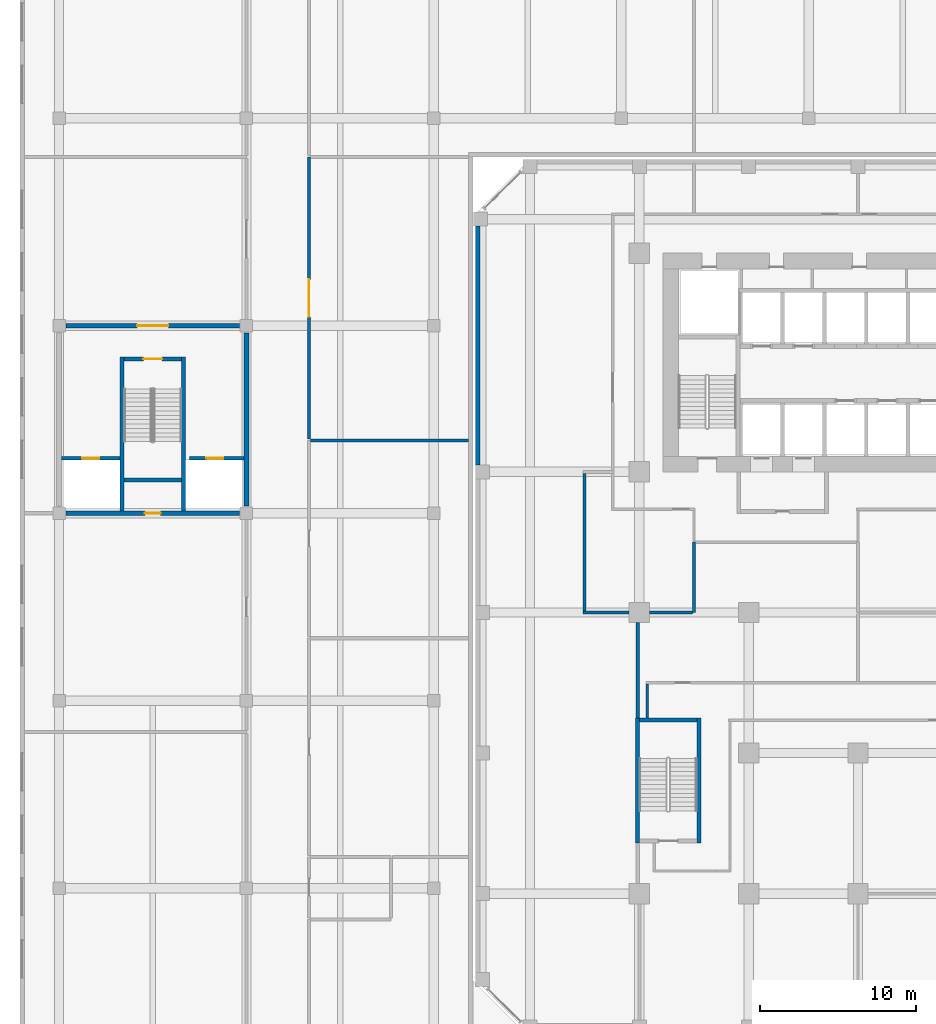
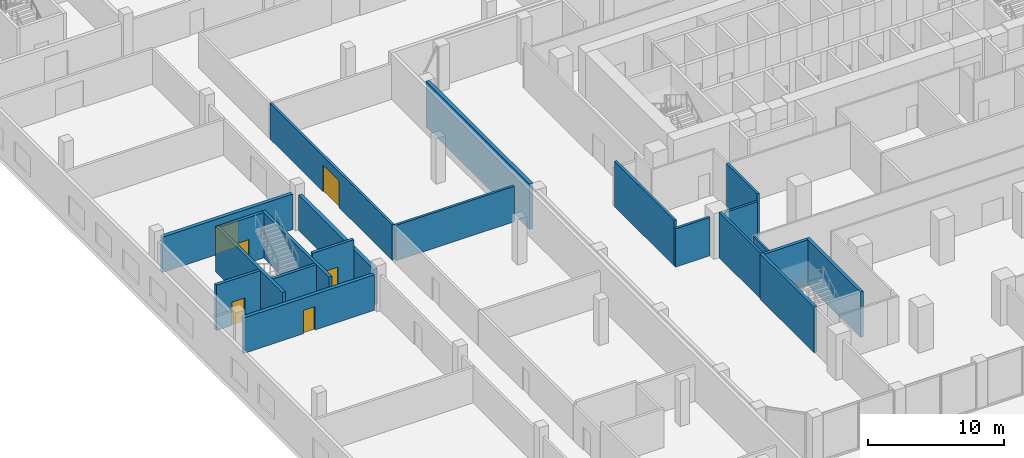
# One storey, part 20 of 38: 21 walls, 6 doors, 6 openings.
"""IFC4 building model written with IfcOpenShell, lengths in metres."""

from ifc_helpers import new_model, si_unit, direction, frame, frame_2d, origin, place, context, subcontext, project, spatial, rectangle, extrude, source, transform, mapped, material, layer, layer_set, type_object, element, fill, save


model = new_model("IFC4")

# Units and contexts
model_context = context("Model", 3, precision=1e-05, world=origin(), true_north=direction((0.0, 1.0)))
body_context = subcontext(model_context, "Body", "Model", "MODEL_VIEW")
ifc_project = project(units=[si_unit("LENGTHUNIT", "METRE"), si_unit("AREAUNIT", "SQUARE_METRE"), si_unit("VOLUMEUNIT", "CUBIC_METRE"), si_unit("PLANEANGLEUNIT", "RADIAN"), si_unit("MASSUNIT", "GRAM", prefix="KILO")], contexts=[model_context])

# Site, building, storey
site_placement = place(None, origin())
site = spatial("IfcSite", under=ifc_project, at=site_placement, CompositionType="ELEMENT")
building_placement = place(site_placement, origin())
building = spatial("IfcBuilding", under=site, at=building_placement, Name="Kilnfold Tower and Market Hall", CompositionType="ELEMENT")
storey_placement = place(building_placement, frame((0.0, 0.0, 9.0)))
storey = spatial("IfcBuildingStorey", under=building, at=storey_placement, Name="L01", CompositionType="ELEMENT", Elevation=9.0)

# Walls
ifc_material_1 = material(Name="Gypsum board on steel studs", Category="steel")
ifc_layer_1 = layer(ifc_material_1, 0.14990234375)
ifc_layer_set_1 = layer_set([ifc_layer_1], Name="Gypsum board on steel studs")
wall_type_1 = type_object("IfcWallType", Name="WALL CORRIDOR 150", PredefinedType="PARTITIONING", material=ifc_layer_set_1)
wall_1_placement = place(storey_placement, frame((-17.0, -5.574951171875, 0.0), z_axis=(0.0, 0.0, 1.0), x_axis=(0.0, -1.0, 0.0)))
element("IfcWall", 1, at=wall_1_placement, inside=storey, type_object=wall_type_1, Name="Partition LY02.23", PredefinedType="PARTITIONING", context=body_context, shape_type="SweptSolid", body=[
    extrude(rectangle(XDim=2.175048828125, YDim=0.14990234375, at=frame_2d((1.08740234375, 0.0))), origin(), (0.0, 0.0, 1.0), 4.10009765625),
])
ifc_material_2 = material(Name="Gypsum board on steel studs", Category="steel")
ifc_layer_2 = layer(ifc_material_2, 0.199951171875)
ifc_layer_set_2 = layer_set([ifc_layer_2], Name="Gypsum board on steel studs")
wall_type_2 = type_object("IfcWallType", Name="WALL PARTY 200", PredefinedType="PARTITIONING", material=ifc_layer_set_2)
wall_2_placement = place(storey_placement, frame((-21.0, -0.89892578125, 0.0), z_axis=(0.0, 0.0, 1.0), x_axis=(0.0, 1.0, 0.0)))
element("IfcWall", 2, at=wall_2_placement, inside=storey, type_object=wall_type_2, Name="Partition LY02.44", PredefinedType="PARTITIONING", context=body_context, shape_type="SweptSolid", body=[
    extrude(rectangle(XDim=8.7978515625, YDim=0.199951171875, at=frame_2d((4.39892578125, 0.0))), origin(), (0.0, 0.0, 1.0), 4.10009765625),
])
wall_3_placement = place(storey_placement, frame((-21.09912109375, -1.0, 0.0), z_axis=(0.0, 0.0, 1.0), x_axis=(1.0, 0.0, 0.0)))
element("IfcWall", 3, at=wall_3_placement, inside=storey, type_object=wall_type_2, Name="Partition LY02.45", PredefinedType="PARTITIONING", context=body_context, shape_type="SweptSolid", body=[
    extrude(rectangle(XDim=2.94921875, YDim=0.199951171875, at=frame_2d((1.474609375, 0.0))), origin(), (0.0, 0.0, 1.0), 3.449951171875),
])
wall_4_placement = place(storey_placement, frame((-17.60009765625, -7.75, 0.0), z_axis=(0.0, 0.0, 1.0), x_axis=(0.0, 1.0, 0.0)))
element("IfcWall", 4, at=wall_4_placement, inside=storey, type_object=wall_type_2, Name="Partition LY02.49", PredefinedType="PARTITIONING", context=body_context, shape_type="SweptSolid", body=[
    extrude(rectangle(XDim=6.10009765625, YDim=0.199951171875, at=frame_2d((3.050048828125, 0.0))), origin(), (0.0, 0.0, 1.0), 4.10009765625),
])
wall_5_placement = place(storey_placement, frame((-16.85009765625, -1.0, 0.0), z_axis=(0.0, 0.0, 1.0), x_axis=(1.0, 0.0, 0.0)))
element("IfcWall", 5, at=wall_5_placement, inside=storey, type_object=wall_type_2, Name="Partition LY02.50", PredefinedType="PARTITIONING", context=body_context, shape_type="SweptSolid", body=[
    extrude(rectangle(XDim=2.75, YDim=0.199951171875, at=frame_2d((1.375, 0.0))), origin(), (0.0, 0.0, 1.0), 3.449951171875),
])
wall_6_placement = place(storey_placement, frame((-14.0, -1.0, 0.0), z_axis=(0.0, 0.0, 1.0), x_axis=(-0.000216579128, 0.999999976547, 0.0)))
element("IfcWall", 6, at=wall_6_placement, inside=storey, type_object=wall_type_2, Name="Partition LY02.51", PredefinedType="PARTITIONING", context=body_context, shape_type="SweptSolid", body=[
    extrude(rectangle(XDim=4.509033203125, YDim=0.199951171875, at=frame_2d((2.25439453125, 0.0))), origin(), (0.0, 0.0, 1.0), 4.10009765625),
])
ifc_material_3 = material(Name="Concrete C80", Category="concrete")
ifc_layer_3 = layer(ifc_material_3, 0.25)
ifc_layer_set_3 = layer_set([ifc_layer_3], Name="Concrete C80")
wall_type_3 = type_object("IfcWallType", Name="CORE WALL 250 C80", PredefinedType="SHEAR", material=ifc_layer_set_3)
shared_shape_1 = source(origin(), body_context, "Body", "SweptSolid", [
    extrude(rectangle(XDim=3.699951171875, YDim=0.25, at=frame_2d((1.85009765625, 0.0))), origin(), (0.0, 0.0, 1.0), 4.10009765625),
])
wall_7_placement = place(storey_placement, frame((-17.5, -7.875, 0.0), z_axis=(0.0, 0.0, 1.0), x_axis=(1.0, 0.0, 0.0)))
element("IfcWall", 7, at=wall_7_placement, inside=storey, type_object=wall_type_3, Name="Stair enclosure ST3", PredefinedType="SHEAR", context=body_context, shape_type="MappedRepresentation", body=[
    mapped(shared_shape_1, transform((0.0, 0.0, 0.0))),
])
ifc_material_4 = material(Name="Concrete C50/60", Category="concrete")
ifc_layer_4 = layer(ifc_material_4, 0.25)
ifc_layer_set_4 = layer_set([ifc_layer_4], Name="Concrete C50/60")
wall_type_4 = type_object("IfcWallType", Name="HALL CORE WALL 250", PredefinedType="SHEAR", material=ifc_layer_set_4)
wall_8_placement = place(storey_placement, frame((-50.5, 7.47509765625, 0.0), z_axis=(0.0, 0.0, 1.0), x_axis=(1.0, 0.0, 0.0)))
element("IfcWall", 8, at=wall_8_placement, inside=storey, type_object=wall_type_4, Name="Core wall MH1", PredefinedType="SHEAR", context=body_context, shape_type="MappedRepresentation", body=[
    mapped(shared_shape_1, transform((0.0, 0.0, 0.0))),
])

# Wall, opening, door
wall_9_placement = place(storey_placement, frame((-50.5, 15.22509765625, 0.0), z_axis=(0.0, 0.0, 1.0), x_axis=(1.0, 0.0, 0.0)))
wall_9 = element("IfcWall", 9, at=wall_9_placement, inside=storey, type_object=wall_type_4, Name="Core wall MH1", PredefinedType="SHEAR", context=body_context, shape_type="MappedRepresentation", body=[
    mapped(shared_shape_1, transform((0.0, 0.0, 0.0))),
])
opening_1_placement = place(wall_9_placement, frame((1.25, 0.0, 0.0)))
opening_1 = element("IfcOpeningElement", 10, at=opening_1_placement, cuts=wall_9, Name="Opening MD9-60", PredefinedType="OPENING", context=body_context, shape_type="SweptSolid", body=[
    extrude(rectangle(XDim=1.199951171875, YDim=2.10009765625, at=frame_2d((0.60009765625, 1.050048828125))), frame((0.0, 0.135009765625, 0.0), z_axis=(0.0, -1.0, 0.0), x_axis=(1.0, 0.0, 0.0)), (0.0, 0.0, 1.0), 0.27001953125),
])
ifc_material_5 = material(Name="Steel S355", Category="steel")
door_type_1 = type_object("IfcDoorType", Name="HALL DOOR STAIR 1200X2100 FD60", OperationType="NOTDEFINED", PredefinedType="DOOR", material=ifc_material_5)
door_1_placement = place(opening_1_placement, origin())
door_1 = element("IfcDoor", 11, at=door_1_placement, inside=storey, type_object=door_type_1, Name="Door MD9-60", OperationType="DOUBLE_DOOR_SINGLE_SWING", OverallHeight=2.10009765625, OverallWidth=1.199951171875, PredefinedType="DOOR", context=body_context, shape_type="SweptSolid", body=[
    extrude(rectangle(XDim=1.199951171875, YDim=2.10009765625, at=frame_2d((0.60009765625, 1.050048828125))), frame((0.0, 0.02490234375, 0.0), z_axis=(0.0, -1.0, 0.0), x_axis=(1.0, 0.0, 0.0)), (0.0, 0.0, 1.0), 0.050048828125),
])
fill(opening_1, door_1)

# Walls
shared_shape_2 = source(origin(), body_context, "Body", "SweptSolid", [
    extrude(rectangle(XDim=8.0, YDim=0.25, at=frame_2d((4.0, 0.0))), origin(), (0.0, 0.0, 1.0), 4.10009765625),
])
for number, where, z_axis, x_axis, name in (
    (12, (-17.625, -15.75, 0.0), (0.0, 0.0, 1.0), (0.0, 1.0, 0.0), "Stair enclosure ST3"),
    (13, (-13.675048828125, -15.75, 0.0), (0.0, 0.0, 1.0), (0.0, 1.0, 0.0), "Stair enclosure ST3"),
):
    element("IfcWall", number, at=place(storey_placement, frame(where, z_axis=z_axis, x_axis=x_axis)), inside=storey, type_object=wall_type_3, Name=name, PredefinedType="SHEAR", context=body_context, shape_type="MappedRepresentation", body=[
        mapped(shared_shape_2, transform((0.0, 0.0, 0.0))),
    ])

# Wall, opening, door
ifc_material_6 = material(Name="Concrete C50/60", Category="concrete")
ifc_layer_5 = layer(ifc_material_6, 0.300048828125)
ifc_layer_set_5 = layer_set([ifc_layer_5], Name="Concrete C50/60")
wall_type_5 = type_object("IfcWallType", Name="HALL CORE WALL 300", PredefinedType="SHEAR", material=ifc_layer_set_5)
shared_shape_3 = source(origin(), body_context, "Body", "SweptSolid", [
    extrude(rectangle(XDim=11.099853515625, YDim=0.300048828125, at=frame_2d((5.5498046875, 0.0))), origin(), (0.0, 0.0, 1.0), 3.199951171875),
])
wall_10_placement = place(storey_placement, frame((-54.199951171875, 5.35009765625, 0.0), z_axis=(0.0, 0.0, 1.0), x_axis=(1.0, 0.0, 0.0)))
wall_10 = element("IfcWall", 14, at=wall_10_placement, inside=storey, type_object=wall_type_5, Name="Core wall MH1", PredefinedType="SHEAR", context=body_context, shape_type="MappedRepresentation", body=[
    mapped(shared_shape_3, transform((0.0, 0.0, 0.0))),
])
opening_2_placement = place(wall_10_placement, frame((5.050048828125, 0.0, 0.0)))
opening_2 = element("IfcOpeningElement", 15, at=opening_2_placement, cuts=wall_10, Name="Opening MD4-60", PredefinedType="OPENING", context=body_context, shape_type="SweptSolid", body=[
    extrude(rectangle(XDim=1.0, YDim=2.10009765625, at=frame_2d((0.5, 1.050048828125))), frame((0.0, 0.16015625, 0.0), z_axis=(0.0, -1.0, 0.0), x_axis=(1.0, 0.0, 0.0)), (0.0, 0.0, 1.0), 0.320068359375),
])
ifc_material_7 = material(Name="Steel S355", Category="steel")
door_type_2 = type_object("IfcDoorType", Name="HALL DOOR RISER 1000X2100 FD60", OperationType="NOTDEFINED", PredefinedType="DOOR", material=ifc_material_7)
door_2_placement = place(opening_2_placement, origin())
door_2 = element("IfcDoor", 16, at=door_2_placement, inside=storey, type_object=door_type_2, Name="Door MD4-60", OperationType="SINGLE_SWING_RIGHT", OverallHeight=2.10009765625, OverallWidth=1.0, PredefinedType="DOOR", context=body_context, shape_type="SweptSolid", body=[
    extrude(rectangle(XDim=1.0, YDim=2.10009765625, at=frame_2d((0.5, 1.050048828125))), frame((0.0, 0.02490234375, 0.0), z_axis=(0.0, -1.0, 0.0), x_axis=(1.0, 0.0, 0.0)), (0.0, 0.0, 1.0), 0.050048828125),
])
fill(opening_2, door_2)

wall_11_placement = place(storey_placement, frame((-54.199951171875, 17.35009765625, 0.0), z_axis=(0.0, 0.0, 1.0), x_axis=(1.0, 0.0, 0.0)))
wall_11 = element("IfcWall", 17, at=wall_11_placement, inside=storey, type_object=wall_type_5, Name="Core wall MH1", PredefinedType="SHEAR", context=body_context, shape_type="MappedRepresentation", body=[
    mapped(shared_shape_3, transform((0.0, 0.0, 0.0))),
])
opening_3_placement = place(wall_11_placement, frame((4.550048828125, 0.0, 0.0)))
opening_3 = element("IfcOpeningElement", 18, at=opening_3_placement, cuts=wall_11, Name="Opening MD10-60", PredefinedType="OPENING", context=body_context, shape_type="SweptSolid", body=[
    extrude(rectangle(XDim=2.0, YDim=2.39990234375, at=frame_2d((1.0, 1.199951171875))), frame((0.0, 0.16015625, 0.0), z_axis=(0.0, -1.0, 0.0), x_axis=(1.0, 0.0, 0.0)), (0.0, 0.0, 1.0), 0.320068359375),
])
ifc_material_8 = material(Name="Aluminium glazing", Category="aluminium")
door_type_3 = type_object("IfcDoorType", Name="HALL DOOR LOBBY 2000X2400 FD60", OperationType="NOTDEFINED", PredefinedType="DOOR", material=ifc_material_8)
door_3_placement = place(opening_3_placement, origin())
door_3 = element("IfcDoor", 19, at=door_3_placement, inside=storey, type_object=door_type_3, Name="Door MD10-60", OperationType="DOUBLE_DOOR_SINGLE_SWING", OverallHeight=2.39990234375, OverallWidth=2.0, PredefinedType="DOOR", context=body_context, shape_type="SweptSolid", body=[
    extrude(rectangle(XDim=2.0, YDim=2.39990234375, at=frame_2d((1.0, 1.199951171875))), frame((0.0, 0.02490234375, 0.0), z_axis=(0.0, -1.0, 0.0), x_axis=(1.0, 0.0, 0.0)), (0.0, 0.0, 1.0), 0.050048828125),
])
fill(opening_3, door_3)

# Walls
wall_12_placement = place(storey_placement, frame((-42.64990234375, 5.800048828125, 0.0), z_axis=(0.0, 0.0, 1.0), x_axis=(0.0, 1.0, 0.0)))
element("IfcWall", 20, at=wall_12_placement, inside=storey, type_object=wall_type_5, Name="Core wall MH1", PredefinedType="SHEAR", context=body_context, shape_type="MappedRepresentation", body=[
    mapped(shared_shape_3, transform((0.0, 0.0, 0.0))),
])
shared_shape_4 = source(origin(), body_context, "Body", "SweptSolid", [
    extrude(rectangle(XDim=9.85009765625, YDim=0.25, at=frame_2d((4.925048828125, 0.0))), origin(), (0.0, 0.0, 1.0), 4.10009765625),
])
for number, where, z_axis, x_axis, name in (
    (21, (-50.625, 5.5, 0.0), (0.0, 0.0, 1.0), (0.0, 1.0, 0.0), "Core wall MH1"),
    (22, (-46.675048828125, 5.5, 0.0), (0.0, 0.0, 1.0), (0.0, 1.0, 0.0), "Core wall MH1"),
):
    element("IfcWall", number, at=place(storey_placement, frame(where, z_axis=z_axis, x_axis=x_axis)), inside=storey, type_object=wall_type_4, Name=name, PredefinedType="SHEAR", context=body_context, shape_type="MappedRepresentation", body=[
        mapped(shared_shape_4, transform((0.0, 0.0, 0.0))),
    ])

# Wall, opening, door
shared_shape_5 = source(origin(), body_context, "Body", "SweptSolid", [
    extrude(rectangle(XDim=3.75, YDim=0.25, at=frame_2d((1.875, 0.0))), origin(), (0.0, 0.0, 1.0), 4.10009765625),
])
wall_13_placement = place(storey_placement, frame((-54.5, 8.875, 0.0), z_axis=(0.0, 0.0, 1.0), x_axis=(1.0, 0.0, 0.0)))
wall_13 = element("IfcWall", 23, at=wall_13_placement, inside=storey, type_object=wall_type_4, Name="Core wall MH1", PredefinedType="SHEAR", context=body_context, shape_type="MappedRepresentation", body=[
    mapped(shared_shape_5, transform((0.0, 0.0, 0.0))),
])
opening_4_placement = place(wall_13_placement, frame((1.324951171875, 0.0, 0.0)))
opening_4 = element("IfcOpeningElement", 24, at=opening_4_placement, cuts=wall_13, Name="Opening LD", PredefinedType="OPENING", context=body_context, shape_type="SweptSolid", body=[
    extrude(rectangle(XDim=1.10009765625, YDim=2.10009765625, at=frame_2d((0.550048828125, 1.050048828125))), frame((0.0, 0.135009765625, 0.0), z_axis=(0.0, -1.0, 0.0), x_axis=(1.0, 0.0, 0.0)), (0.0, 0.0, 1.0), 0.27001953125),
])
ifc_material_9 = material(Name="Steel S355", Category="steel")
door_type_4 = type_object("IfcDoorType", Name="HALL LANDING DOOR 1100X2100 FD60", OperationType="NOTDEFINED", PredefinedType="DOOR", material=ifc_material_9)
door_4_placement = place(opening_4_placement, origin())
door_4 = element("IfcDoor", 25, at=door_4_placement, inside=storey, type_object=door_type_4, Name="Door LD", OperationType="SLIDING_TO_LEFT", OverallHeight=2.10009765625, OverallWidth=1.10009765625, PredefinedType="DOOR", context=body_context, shape_type="SweptSolid", body=[
    extrude(rectangle(XDim=1.10009765625, YDim=2.10009765625, at=frame_2d((0.550048828125, 1.050048828125))), frame((0.0, 0.02490234375, 0.0), z_axis=(0.0, -1.0, 0.0), x_axis=(1.0, 0.0, 0.0)), (0.0, 0.0, 1.0), 0.050048828125),
])
fill(opening_4, door_4)

shared_shape_6 = source(origin(), body_context, "Body", "SweptSolid", [
    extrude(rectangle(XDim=3.5, YDim=0.25, at=frame_2d((1.75, 0.0))), origin(), (0.0, 0.0, 1.0), 4.10009765625),
])
wall_14_placement = place(storey_placement, frame((-46.300048828125, 8.875, 0.0), z_axis=(0.0, 0.0, 1.0), x_axis=(1.0, 0.0, 0.0)))
wall_14 = element("IfcWall", 26, at=wall_14_placement, inside=storey, type_object=wall_type_4, Name="Core wall MH1", PredefinedType="SHEAR", context=body_context, shape_type="MappedRepresentation", body=[
    mapped(shared_shape_6, transform((0.0, 0.0, 0.0))),
])
opening_5_placement = place(wall_14_placement, frame((1.074951171875, 0.0, 0.0)))
opening_5 = element("IfcOpeningElement", 27, at=opening_5_placement, cuts=wall_14, Name="Opening LD", PredefinedType="OPENING", context=body_context, shape_type="SweptSolid", body=[
    extrude(rectangle(XDim=1.10009765625, YDim=2.10009765625, at=frame_2d((0.550048828125, 1.050048828125))), frame((0.0, 0.135009765625, 0.0), z_axis=(0.0, -1.0, 0.0), x_axis=(1.0, 0.0, 0.0)), (0.0, 0.0, 1.0), 0.27001953125),
])
door_5_placement = place(opening_5_placement, origin())
door_5 = element("IfcDoor", 28, at=door_5_placement, inside=storey, type_object=door_type_4, Name="Door LD", OperationType="SLIDING_TO_LEFT", OverallHeight=2.10009765625, OverallWidth=1.10009765625, PredefinedType="DOOR", context=body_context, shape_type="SweptSolid", body=[
    extrude(rectangle(XDim=1.10009765625, YDim=2.10009765625, at=frame_2d((0.550048828125, 1.050048828125))), frame((0.0, 0.02490234375, 0.0), z_axis=(0.0, -1.0, 0.0), x_axis=(1.0, 0.0, 0.0)), (0.0, 0.0, 1.0), 0.050048828125),
])
fill(opening_5, door_5)

# Walls
ifc_material_10 = material(Name="Precast concrete C50/60", Category="concrete")
ifc_layer_6 = layer(ifc_material_10, 0.300048828125)
ifc_layer_set_6 = layer_set([ifc_layer_6], Name="Precast concrete C50/60")
wall_type_6 = type_object("IfcWallType", Name="PRECAST WALL 300", PredefinedType="SOLIDWALL", material=ifc_layer_set_6)
shared_shape_7 = source(origin(), body_context, "Body", "SweptSolid", [
    extrude(rectangle(XDim=15.28173828125, YDim=0.300048828125, at=frame_2d((7.640869140625, 0.0))), origin(), (0.0, 0.0, 1.0), 4.10009765625),
])
wall_15_placement = place(storey_placement, frame((-27.85009765625, 23.731689453125, 0.0), z_axis=(0.0, 0.0, 1.0), x_axis=(0.0, -1.0, 0.0)))
element("IfcWall", 29, at=wall_15_placement, inside=storey, type_object=wall_type_6, Name="Party wall L01 W", PredefinedType="SOLIDWALL", context=body_context, shape_type="MappedRepresentation", body=[
    mapped(shared_shape_7, transform((0.0, 0.0, 0.0))),
])
ifc_material_11 = material(Name="Concrete blockwork", Category="masonry")
ifc_layer_7 = layer(ifc_material_11, 0.199951171875)
ifc_layer_set_7 = layer_set([ifc_layer_7], Name="Concrete blockwork")
wall_type_7 = type_object("IfcWallType", Name="HALL PARTITION 200 EI 60", PredefinedType="PARTITIONING", material=ifc_layer_set_7)
shared_shape_8 = source(origin(), body_context, "Body", "SweptSolid", [
    extrude(rectangle(XDim=10.10009765625, YDim=0.199951171875, at=frame_2d((5.050048828125, 0.0))), origin(), (0.0, 0.0, 1.0), 3.199951171875),
])
wall_16_placement = place(storey_placement, frame((-38.550048828125, 10.0, 0.0), z_axis=(0.0, 0.0, 1.0), x_axis=(1.0, 0.0, 0.0)))
element("IfcWall", 30, at=wall_16_placement, inside=storey, type_object=wall_type_7, Name="Partition W-MH-L01.25", PredefinedType="PARTITIONING", context=body_context, shape_type="MappedRepresentation", body=[
    mapped(shared_shape_8, transform((0.0, 0.0, 0.0))),
])

# Wall, opening, door
shared_shape_9 = source(origin(), body_context, "Body", "SweptSolid", [
    extrude(rectangle(XDim=18.0498046875, YDim=0.199951171875, at=frame_2d((9.02490234375, 0.0))), origin(), (0.0, 0.0, 1.0), 3.199951171875),
])
wall_17_placement = place(storey_placement, frame((-38.64990234375, 28.14990234375, 0.0), z_axis=(0.0, 0.0, 1.0), x_axis=(0.0, -1.0, 0.0)))
wall_17 = element("IfcWall", 31, at=wall_17_placement, inside=storey, type_object=wall_type_7, Name="Partition W-MH-L01.26", PredefinedType="PARTITIONING", context=body_context, shape_type="MappedRepresentation", body=[
    mapped(shared_shape_9, transform((0.0, 0.0, 0.0))),
])
opening_6_placement = place(wall_17_placement, frame((7.824951171875, 0.0, 0.0)))
opening_6 = element("IfcOpeningElement", 32, at=opening_6_placement, cuts=wall_17, Name="Opening MD7-60", PredefinedType="OPENING", context=body_context, shape_type="SweptSolid", body=[
    extrude(rectangle(XDim=2.39990234375, YDim=2.39990234375, at=frame_2d((1.199951171875, 1.199951171875))), frame((0.0, 0.10986328125, 0.0), z_axis=(0.0, -1.0, 0.0), x_axis=(1.0, 0.0, 0.0)), (0.0, 0.0, 1.0), 0.219970703125),
])
ifc_material_12 = material(Name="Aluminium glazing", Category="aluminium")
door_type_5 = type_object("IfcDoorType", Name="HALL DOOR HALL 2400X2400 FD60", OperationType="NOTDEFINED", PredefinedType="DOOR", material=ifc_material_12)
door_6_placement = place(opening_6_placement, origin())
door_6 = element("IfcDoor", 33, at=door_6_placement, inside=storey, type_object=door_type_5, Name="Door MD7-60", OperationType="DOUBLE_DOOR_SINGLE_SWING", OverallHeight=2.39990234375, OverallWidth=2.39990234375, PredefinedType="DOOR", context=body_context, shape_type="SweptSolid", body=[
    extrude(rectangle(XDim=2.39990234375, YDim=2.39990234375, at=frame_2d((1.199951171875, 1.199951171875))), frame((0.0, 0.02490234375, 0.0), z_axis=(0.0, -1.0, 0.0), x_axis=(1.0, 0.0, 0.0)), (0.0, 0.0, 1.0), 0.050048828125),
])
fill(opening_6, door_6)

save(model, "model.ifc")
